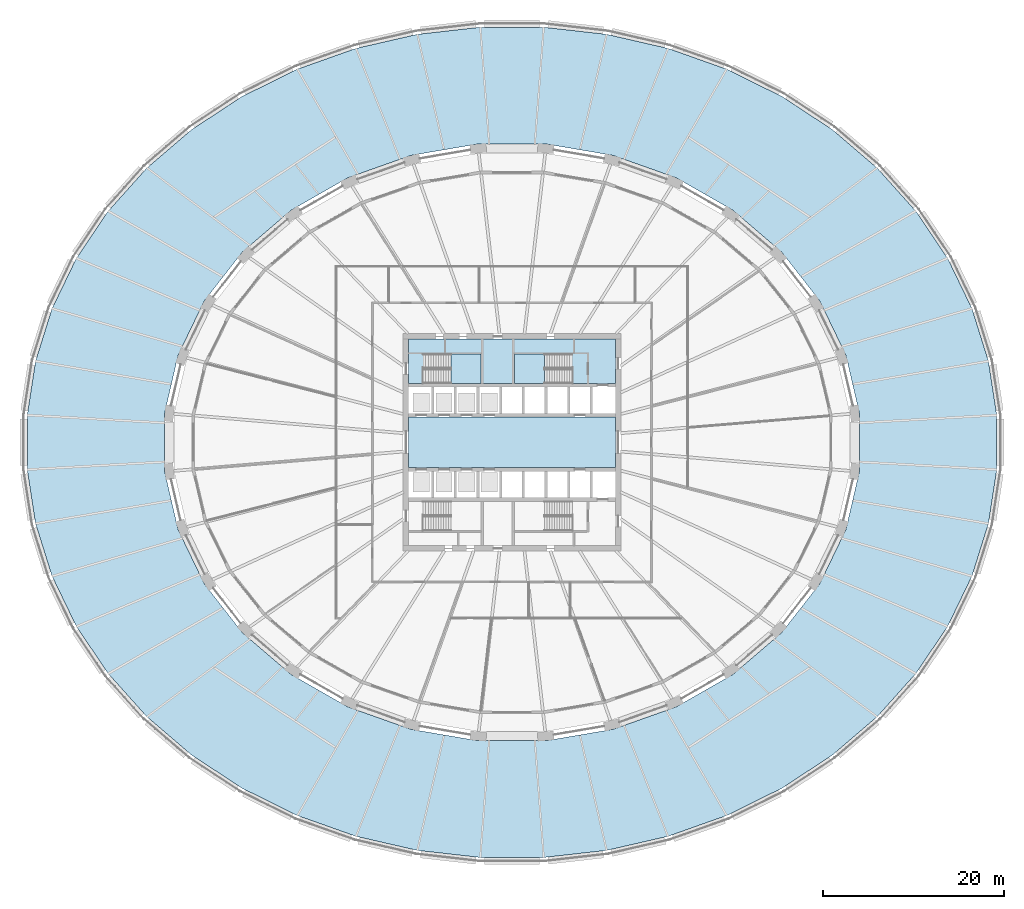
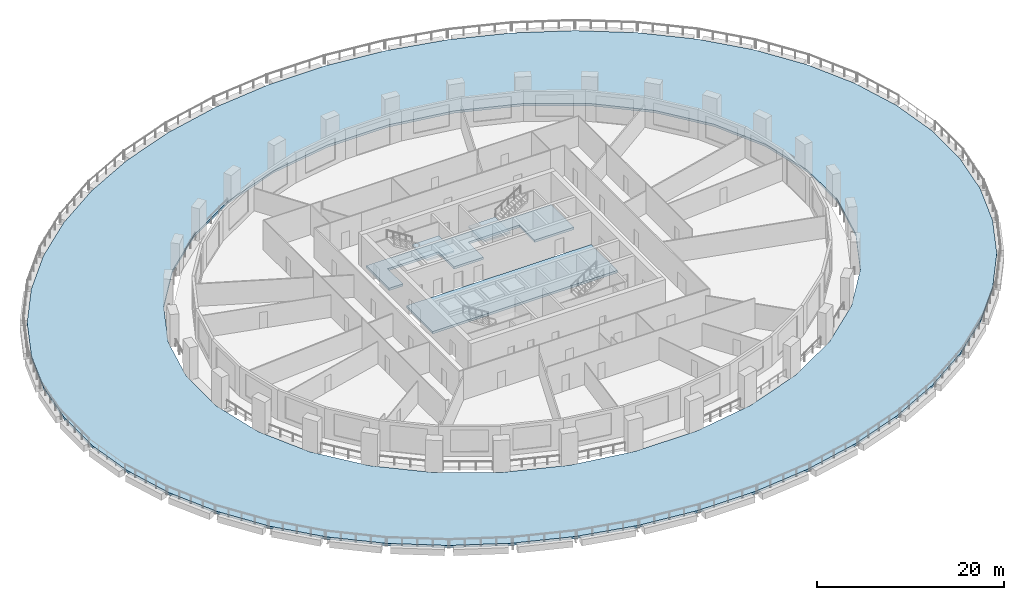
# One storey, part 4 of 16: 5 slabs, 2 elements without a shape of their own.
"""IFC4 building model written with IfcOpenShell, lengths in metres."""

from ifc_helpers import new_model, si_unit, direction, frame, origin, place, context, subcontext, project, spatial, polyline, outline, extrude, material, layer, layer_set, type_object, element, aggregate, save


model = new_model("IFC4")

# Units and contexts
model_context = context("Model", 3, precision=1e-05, world=origin(), true_north=direction((0.0, 1.0)))
body_context = subcontext(model_context, "Body", "Model", "MODEL_VIEW")
ifc_project = project(units=[si_unit("LENGTHUNIT", "METRE"), si_unit("AREAUNIT", "SQUARE_METRE"), si_unit("VOLUMEUNIT", "CUBIC_METRE"), si_unit("PLANEANGLEUNIT", "RADIAN"), si_unit("MASSUNIT", "GRAM", prefix="KILO")], contexts=[model_context])

# Site, building, storey
site_placement = place(None, origin())
site = spatial("IfcSite", under=ifc_project, at=site_placement, CompositionType="ELEMENT")
building_placement = place(site_placement, origin())
building = spatial("IfcBuilding", under=site, at=building_placement, Name="Halqa Exchange Tower", CompositionType="ELEMENT")
storey_placement = place(building_placement, frame((0.0, 0.0, 23.5)))
storey = spatial("IfcBuildingStorey", under=building, at=storey_placement, Name="L04", CompositionType="ELEMENT", Elevation=23.5)

# Slabs
ifc_material_1 = material(Name="Concrete C60/75", Category="concrete")
ifc_layer_1 = layer(ifc_material_1, 0.300048828125)
ifc_layer_set_1 = layer_set([ifc_layer_1], Name="Concrete C60/75")
slab_type_1 = type_object("IfcSlabType", Name="Core floor slab 300", PredefinedType="FLOOR", material=ifc_layer_set_1)
slab_1_placement = place(storey_placement, frame((0.0, 0.0, -0.300048828125)))
element("IfcSlab", 1, at=slab_1_placement, inside=storey, type_object=slab_type_1, Name="Core floor slab", PredefinedType="FLOOR", context=body_context, shape_type="SweptSolid", body=[
    extrude(outline(polyline([(-11.39990234375, 2.800048828125), (11.39990234375, 2.800048828125), (11.39990234375, -2.800048828125), (-11.39990234375, -2.800048828125), (-11.39990234375, 2.800048828125)])), origin(), (0.0, 0.0, 1.0), 0.300048828125),
])
slab_2_placement = place(storey_placement, frame((0.0, 0.0, -0.300048828125)))
element("IfcSlab", 2, at=slab_2_placement, inside=storey, type_object=slab_type_1, Name="Core floor slab", PredefinedType="FLOOR", context=body_context, shape_type="SweptSolid", body=[
    extrude(outline(polyline([(-11.39990234375, 11.39990234375), (11.39990234375, 11.39990234375), (11.39990234375, 6.5), (6.550048828125, 6.5), (6.550048828125, 9.75), (0.25, 9.75), (0.25, 6.5), (-3.39990234375, 6.5), (-3.39990234375, 9.75), (-9.699951171875, 9.75), (-9.699951171875, 6.5), (-11.39990234375, 6.5), (-11.39990234375, 11.39990234375)])), origin(), (0.0, 0.0, 1.0), 0.300048828125),
])
ifc_material_2 = material(Name="Concrete C40/50", Category="concrete")
ifc_layer_2 = layer(ifc_material_2, 0.300048828125)
ifc_layer_set_2 = layer_set([ifc_layer_2], Name="Concrete C40/50")
slab_type_2 = type_object("IfcSlabType", Name="RC podium roof slab 300", PredefinedType="ROOF", material=ifc_layer_set_2)
slab_3_placement = place(storey_placement, frame((0.0, 0.0, -0.300048828125)))
element("IfcSlab", 3, at=slab_3_placement, inside=storey, type_object=slab_type_2, Name="Podium roof", PredefinedType="ROOF", context=body_context, shape_type="SweptSolid", body=[
    extrude(outline(polyline([(53.484375, 2.997802734375), (53.484375, -2.997802734375), (52.571533203125, -8.942138671875), (50.76123046875, -14.735107421875), (48.08349609375, -20.2783203125), (44.5830078125, -25.476806640625), (40.31884765625, -30.2412109375), (35.363525390625, -34.489990234375), (29.801513671875, -38.1494140625), (23.727294921875, -41.15625), (17.24560546875, -43.458251953125), (10.467529296875, -45.015380859375), (3.50927734375, -45.80078125), (-3.50927734375, -45.80078125), (-10.467529296875, -45.015380859375), (-17.24560546875, -43.458251953125), (-23.727294921875, -41.15625), (-29.801513671875, -38.1494140625), (-35.363525390625, -34.489990234375), (-40.31884765625, -30.2412109375), (-44.5830078125, -25.476806640625), (-48.08349609375, -20.2783203125), (-50.76123046875, -14.735107421875), (-52.571533203125, -8.942138671875), (-53.484375, -2.997802734375), (-53.484375, 2.997802734375), (-52.571533203125, 8.942138671875), (-50.76123046875, 14.735107421875), (-48.08349609375, 20.2783203125), (-44.5830078125, 25.476806640625), (-40.31884765625, 30.2412109375), (-35.363525390625, 34.489990234375), (-29.801513671875, 38.1494140625), (-23.727294921875, 41.15625), (-17.24560546875, 43.458251953125), (-10.467529296875, 45.015380859375), (-3.50927734375, 45.80078125), (3.50927734375, 45.80078125), (10.467529296875, 45.015380859375), (17.24560546875, 43.458251953125), (23.727294921875, 41.15625), (29.801513671875, 38.1494140625), (35.363525390625, 34.489990234375), (40.31884765625, 30.2412109375), (44.5830078125, 25.476806640625), (48.08349609375, 20.2783203125), (50.76123046875, 14.735107421875), (52.571533203125, 8.942138671875), (53.484375, 2.997802734375)]), holes=[polyline([(38.31689453125, 3.25), (38.31689453125, -3.25), (36.838134765625, -9.622314453125), (33.93994140625, -15.619384765625), (29.73779296875, -21.010009765625), (24.396484375, -25.58837890625), (18.122802734375, -29.181640625), (11.157470703125, -31.654541015625), (3.76708984375, -32.91455078125), (-3.76708984375, -32.91455078125), (-11.157470703125, -31.654541015625), (-18.122802734375, -29.181640625), (-24.396484375, -25.58837890625), (-29.73779296875, -21.010009765625), (-33.93994140625, -15.619384765625), (-36.838134765625, -9.622314453125), (-38.31689453125, -3.25), (-38.31689453125, 3.25), (-36.838134765625, 9.622314453125), (-33.93994140625, 15.619384765625), (-29.73779296875, 21.010009765625), (-24.396484375, 25.58837890625), (-18.122802734375, 29.181640625), (-11.157470703125, 31.654541015625), (-3.76708984375, 32.91455078125), (3.76708984375, 32.91455078125), (11.157470703125, 31.654541015625), (18.122802734375, 29.181640625), (24.396484375, 25.58837890625), (29.73779296875, 21.010009765625), (33.93994140625, 15.619384765625), (36.838134765625, 9.622314453125), (38.31689453125, 3.25)])]), origin(), (0.0, 0.0, 1.0), 0.300048828125),
])

# Stair, slab
ifc_material_3 = material(Name="Concrete C30/37", Category="concrete")
stair_type = type_object("IfcStairType", Name="Exit stair 1500 wide", PredefinedType="HALF_TURN_STAIR", material=ifc_material_3)
stair_1_placement = place(storey_placement, origin())
stair_1 = element("IfcStair", 4, at=stair_1_placement, inside=storey, type_object=stair_type, Name="Exit stair ST1", PredefinedType="HALF_TURN_STAIR")
ifc_layer_3 = layer(ifc_material_3, 0.199951171875)
ifc_layer_set_3 = layer_set([ifc_layer_3], Name="Concrete C30/37")
slab_type_3 = type_object("IfcSlabType", Name="Stair landing 200 slab", PredefinedType="LANDING", material=ifc_layer_set_3)
slab_4_placement = place(storey_placement, frame((0.0, 0.0, 1.89990234375)))
slab_4 = element("IfcSlab", 5, at=slab_4_placement, type_object=slab_type_3, Name="ST1 landing 1", PredefinedType="LANDING", context=body_context, shape_type="SweptSolid", body=[
    extrude(outline(polyline([(-6.719970703125, 6.5), (-3.39990234375, 6.5), (-3.39990234375, 9.75), (-6.719970703125, 9.75), (-6.719970703125, 6.5)])), origin(), (0.0, 0.0, 1.0), 0.2001953125),
])
aggregate(stair_1, [slab_4])

stair_2_placement = place(storey_placement, origin())
stair_2 = element("IfcStair", 6, at=stair_2_placement, inside=storey, type_object=stair_type, Name="Exit stair ST2", PredefinedType="HALF_TURN_STAIR")
slab_5_placement = place(storey_placement, frame((0.0, 0.0, 1.89990234375)))
slab_5 = element("IfcSlab", 7, at=slab_5_placement, type_object=slab_type_3, Name="ST2 landing 1", PredefinedType="LANDING", context=body_context, shape_type="SweptSolid", body=[
    extrude(outline(polyline([(0.25, 6.5), (3.570068359375, 6.5), (3.570068359375, 9.75), (0.25, 9.75), (0.25, 6.5)])), origin(), (0.0, 0.0, 1.0), 0.2001953125),
])
aggregate(stair_2, [slab_5])

save(model, "model.ifc")
